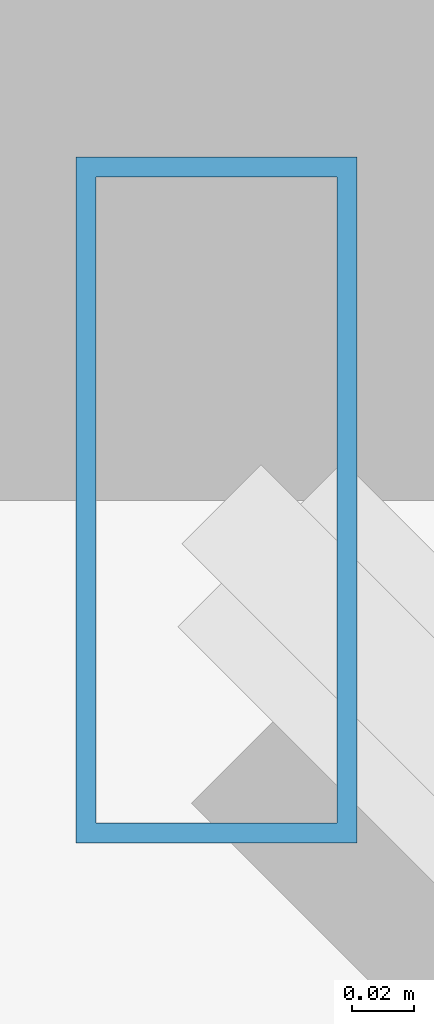
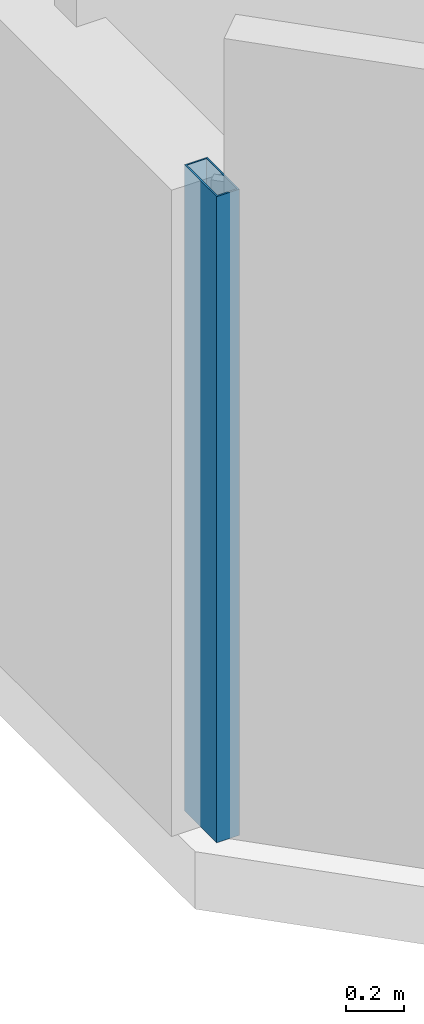
# One storey, part 6 of 34: 1 member, 1 element without a shape of its own.
"""IFC4 building model written with IfcOpenShell, lengths in metres."""

from ifc_helpers import new_model, si_unit, direction, frame, origin, origin_2d, place, context, subcontext, project, spatial, hollow_rectangle, extrude, material, material_profile, profile_set, type_object, element, aggregate, save


model = new_model("IFC4")

# Units and contexts
model_context = context("Model", 3, precision=1e-05, world=origin(), true_north=direction((0.0, 1.0)))
body_context = subcontext(model_context, "Body", "Model", "MODEL_VIEW")
ifc_project = project(units=[si_unit("LENGTHUNIT", "METRE"), si_unit("AREAUNIT", "SQUARE_METRE"), si_unit("VOLUMEUNIT", "CUBIC_METRE"), si_unit("PLANEANGLEUNIT", "RADIAN"), si_unit("MASSUNIT", "GRAM", prefix="KILO")], contexts=[model_context])

# Site, building, storey
site_placement = place(None, origin())
site = spatial("IfcSite", under=ifc_project, at=site_placement, CompositionType="ELEMENT")
building_placement = place(site_placement, origin())
building = spatial("IfcBuilding", under=site, at=building_placement, Name="Thornwick Lancets Civic Towers", CompositionType="ELEMENT")
storey_placement = place(building_placement, frame((0.0, 0.0, 53.699951171875)))
storey = spatial("IfcBuildingStorey", under=building, at=storey_placement, Name="L13", CompositionType="ELEMENT", Elevation=53.699951171875)

# Curtain wall, member
ifc_material_1 = material(Name="Low-zone chamfered-corner unitised glass curtain wall", Category="glass")
curtain_wall_type = type_object("IfcCurtainWallType", Name="CW_SYS_03", PredefinedType="NOTDEFINED", material=ifc_material_1)
curtain_wall_placement = place(storey_placement, origin())
curtain_wall = element("IfcCurtainWall", 1, at=curtain_wall_placement, inside=storey, type_object=curtain_wall_type, Name="L13 Curtain Wall CW-L13-B-E7", PredefinedType="NOTDEFINED")
ifc_material_2 = material(Name="Thermally broken bronze aluminium S355", Category="steel")
ifc_material_profile = material_profile(ifc_material_2, hollow_rectangle(XDim=0.090087890625, YDim=0.219970703125, WallThickness=0.00634765625, at=origin_2d()), Name="RHS 220x90x6.3")
ifc_profile_set = profile_set([ifc_material_profile], Name="Thermally broken bronze aluminium S355")
member_type = type_object("IfcMemberType", Name="CW_MUL_220", PredefinedType="MULLION", material=ifc_profile_set)
member_placement = place(storey_placement, frame((70.235107421875, 11.31884765625, 0.0), z_axis=(0.0, 0.0, 1.0), x_axis=(1.0, 0.0, 0.0)))
member = element("IfcMember", 2, at=member_placement, type_object=member_type, Name="CW-L13-B-E7 Mullion 0", PredefinedType="MULLION", context=body_context, shape_type="SweptSolid", body=[
    extrude(hollow_rectangle(XDim=0.090087890625, YDim=0.219970703125, WallThickness=0.00634765625, at=origin_2d()), origin(), (0.0, 0.0, 1.0), 2.699951171875),
])
aggregate(curtain_wall, [member])

save(model, "model.ifc")
